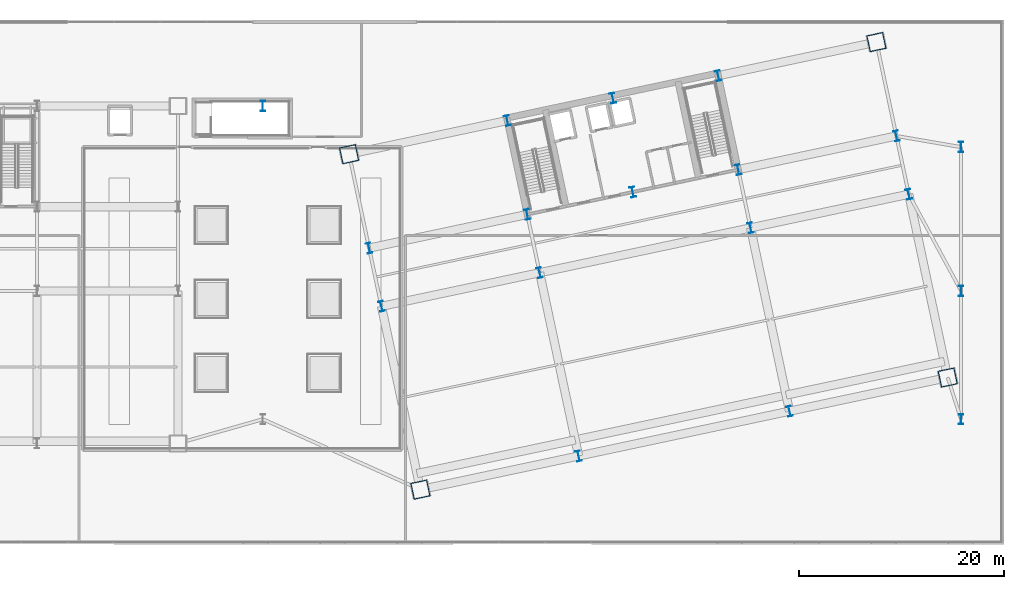
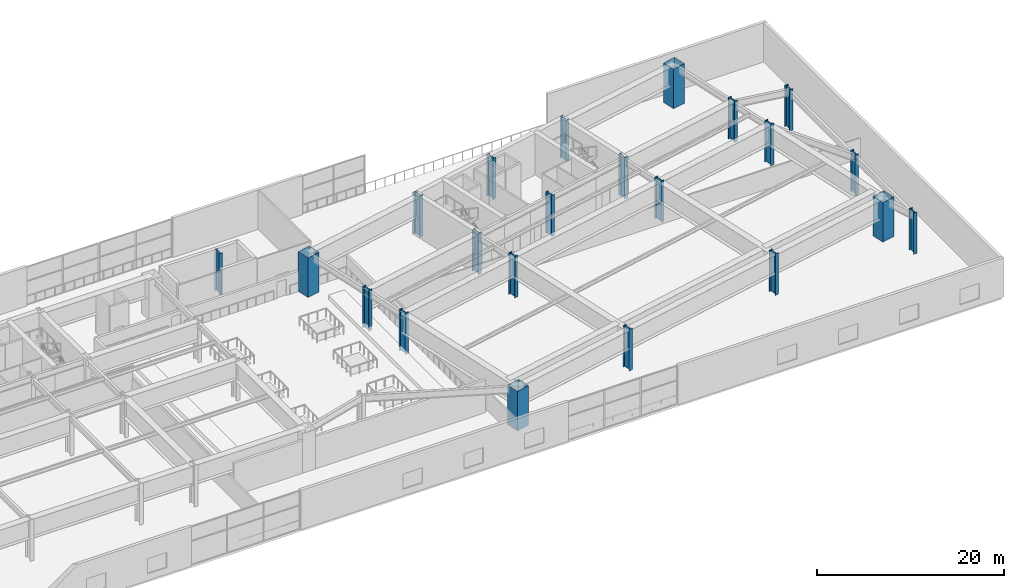
# One storey, part 2 of 29: 22 columns.
"""IFC4 building model written with IfcOpenShell, lengths in metres."""

from ifc_helpers import new_model, si_unit, direction, frame, origin, origin_2d, place, context, subcontext, project, spatial, hollow_rectangle, i_section, extrude, material, material_profile, profile_set, type_object, element, save


model = new_model("IFC4")

# Units and contexts
model_context = context("Model", 3, precision=1e-05, world=origin(), true_north=direction((0.0, 1.0)))
body_context = subcontext(model_context, "Body", "Model", "MODEL_VIEW")
ifc_project = project(units=[si_unit("LENGTHUNIT", "METRE"), si_unit("AREAUNIT", "SQUARE_METRE"), si_unit("VOLUMEUNIT", "CUBIC_METRE"), si_unit("PLANEANGLEUNIT", "RADIAN"), si_unit("MASSUNIT", "GRAM", prefix="KILO")], contexts=[model_context])

# Site, building, storey
site_placement = place(None, origin())
site = spatial("IfcSite", under=ifc_project, at=site_placement, CompositionType="ELEMENT")
building_placement = place(site_placement, origin())
building = spatial("IfcBuilding", under=site, at=building_placement, Name="Haevon Station Towers", CompositionType="ELEMENT")
storey_placement = place(building_placement, frame((0.0, 0.0, 25.199951171875)))
storey = spatial("IfcBuildingStorey", under=building, at=storey_placement, Name="L05", CompositionType="ELEMENT", Elevation=25.199951171875)

# Columns
ifc_material = material(Name="Steel S460", Category="steel")
ifc_material_profile_1 = material_profile(ifc_material, hollow_rectangle(XDim=1.60009765625, YDim=1.60009765625, WallThickness=0.0400390625, at=origin_2d()), Name="BOX-1600x1600x40")
ifc_profile_set_1 = profile_set([ifc_material_profile_1], Name="Steel S460")
column_type_1 = type_object("IfcColumnType", Name="COL-MC1", PredefinedType="COLUMN", material=ifc_profile_set_1)
for number, where, z_axis, x_axis, name in (
    (1, (88.346923828125, 10.643310546875, 0.0), (0.0, 0.0, 1.0), (0.978147600734, 0.207911690818, 0.0), "COL-T2-L05-01-01"),
    (2, (81.402587890625, 43.3134765625, 0.0), (0.0, 0.0, 1.0), (0.978147600734, 0.207911690818, 0.0), "COL-T2-L05-01-04"),
    (3, (139.699462890625, 21.558837890625, 0.0), (0.0, 0.0, 1.0), (0.978147600734, 0.207911690818, 0.0), "COL-T2-L05-05-01"),
    (4, (132.75537109375, 54.228759765625, 0.0), (0.0, 0.0, 1.0), (0.978147600734, 0.207911690818, 0.0), "COL-T2-L05-05-04"),
):
    element("IfcColumn", number, at=place(storey_placement, frame(where, z_axis=z_axis, x_axis=x_axis)), inside=storey, type_object=column_type_1, Name=name, PredefinedType="COLUMN", context=body_context, shape_type="SweptSolid", body=[
        extrude(hollow_rectangle(XDim=1.60009765625, YDim=1.60009765625, WallThickness=0.0400390625, at=origin_2d()), origin(), (0.0, 0.0, 1.0), 5.150146484375),
    ])
ifc_material_profile_2 = material_profile(ifc_material, i_section(OverallWidth=0.449951171875, OverallDepth=1.0, WebThickness=0.02197265625, FlangeThickness=0.0400390625, at=origin_2d()), Name="H-1000x450x22x40")
ifc_profile_set_2 = profile_set([ifc_material_profile_2], Name="Steel S460")
column_type_2 = type_object("IfcColumnType", Name="COL-POD1", PredefinedType="COLUMN", material=ifc_profile_set_2)
for number, where, z_axis, x_axis, name in (
    (5, (84.552490234375, 28.49462890625, 0.0), (0.0, 0.0, 1.0), (0.978147600734, 0.207911690818, 0.0), "COL-T2-L05-01-02"),
    (6, (83.346435546875, 34.167724609375, 0.0), (0.0, 0.0, 1.0), (0.978147600734, 0.207911690818, 0.0), "COL-T2-L05-01-03"),
    (7, (103.752685546875, 13.91796875, 0.0), (0.0, 0.0, 1.0), (0.978147600734, 0.207911690818, 0.0), "COL-T2-L05-02-01"),
    (8, (99.958251953125, 31.76904296875, 0.0), (0.0, 0.0, 1.0), (0.978147600734, 0.207911690818, 0.0), "COL-T2-L05-02-02"),
    (9, (98.75244140625, 37.4423828125, 0.0), (0.0, 0.0, 1.0), (0.978147600734, 0.207911690818, 0.0), "COL-T2-L05-02-03"),
    (10, (96.808349609375, 46.588134765625, 0.0), (0.0, 0.0, 1.0), (0.978147600734, 0.207911690818, 0.0), "COL-T2-L05-02-04"),
    (11, (109.02294921875, 39.62548828125, 0.0), (0.0, 0.0, 1.0), (0.978147600734, 0.207911690818, 0.0), "COL-T2-L05-03-03"),
    (12, (107.078857421875, 48.771240234375, 0.0), (0.0, 0.0, 1.0), (0.978147600734, 0.207911690818, 0.0), "COL-T2-L05-03-04"),
    (13, (124.293701171875, 18.2841796875, 0.0), (0.0, 0.0, 1.0), (0.978147600734, 0.207911690818, 0.0), "COL-T2-L05-04-01"),
    (14, (120.499267578125, 36.13525390625, 0.0), (0.0, 0.0, 1.0), (0.978147600734, 0.207911690818, 0.0), "COL-T2-L05-04-02"),
    (15, (119.29345703125, 41.80859375, 0.0), (0.0, 0.0, 1.0), (0.978147600734, 0.207911690818, 0.0), "COL-T2-L05-04-03"),
    (16, (117.349365234375, 50.954345703125, 0.0), (0.0, 0.0, 1.0), (0.978147600734, 0.207911690818, 0.0), "COL-T2-L05-04-04"),
    (17, (135.9052734375, 39.409912109375, 0.0), (0.0, 0.0, 1.0), (0.978147600734, 0.207911690818, 0.0), "COL-T2-L05-05-02"),
    (18, (134.69921875, 45.083251953125, 0.0), (0.0, 0.0, 1.0), (0.978147600734, 0.207911690818, 0.0), "COL-T2-L05-05-03"),
    (19, (73.0, 48.0, 0.0), (0.0, 0.0, 1.0), (1.0, 0.0, 0.0), "COL-POD-L05-M2"),
    (20, (141.0, 17.5, 0.0), (0.0, 0.0, 1.0), (1.0, 0.0, 0.0), "COL-POD-L05-E1"),
    (21, (141.0, 30.0, 0.0), (0.0, 0.0, 1.0), (1.0, 0.0, 0.0), "COL-POD-L05-E2"),
    (22, (141.0, 44.0, 0.0), (0.0, 0.0, 1.0), (1.0, 0.0, 0.0), "COL-POD-L05-E3"),
):
    element("IfcColumn", number, at=place(storey_placement, frame(where, z_axis=z_axis, x_axis=x_axis)), inside=storey, type_object=column_type_2, Name=name, PredefinedType="COLUMN", context=body_context, shape_type="SweptSolid", body=[
        extrude(i_section(OverallWidth=0.449951171875, OverallDepth=1.0, WebThickness=0.02197265625, FlangeThickness=0.0400390625, at=origin_2d()), origin(), (0.0, 0.0, 1.0), 5.400146484375),
    ])

save(model, "model.ifc")
